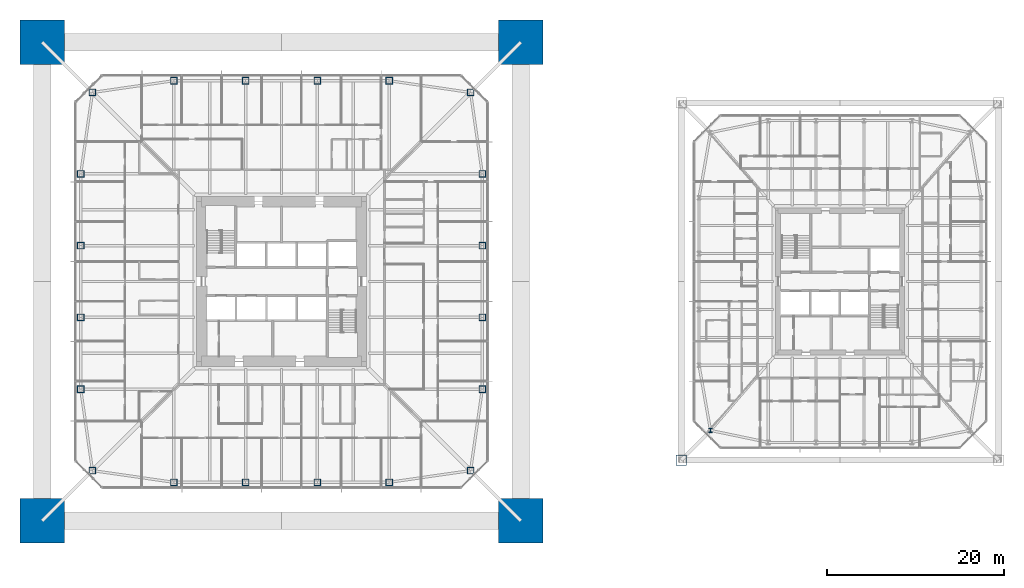
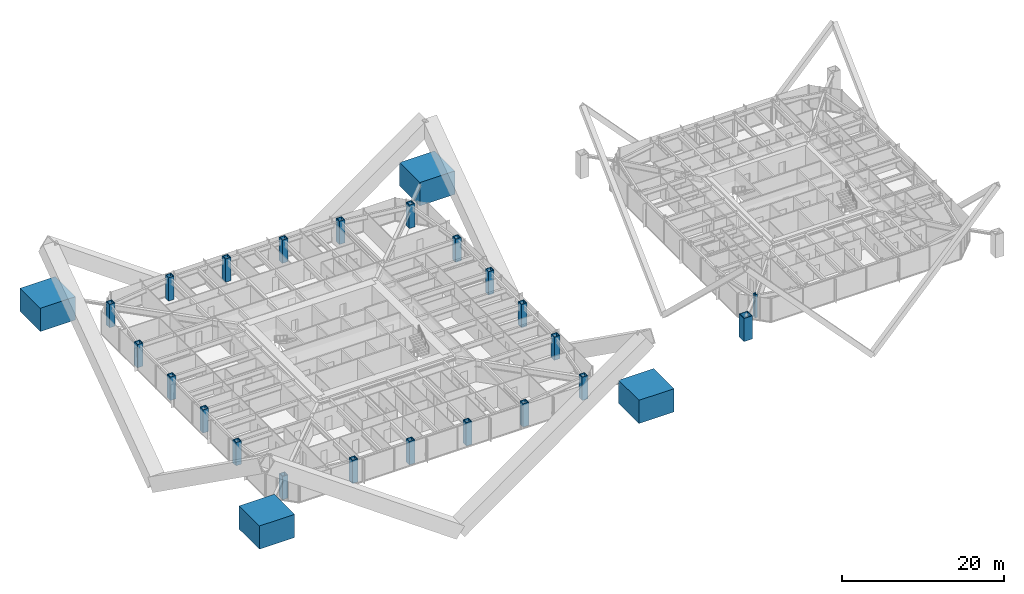
# One storey, part 1 of 28: 26 columns.
"""IFC4 building model written with IfcOpenShell, lengths in metres."""

from ifc_helpers import new_model, si_unit, direction, frame, origin, origin_2d, place, context, subcontext, project, spatial, rectangle, hollow_rectangle, i_section, extrude, material, material_profile, profile_set, type_object, element, save


model = new_model("IFC4")

# Units and contexts
model_context = context("Model", 3, precision=1e-05, world=origin(), true_north=direction((0.0, 1.0)))
body_context = subcontext(model_context, "Body", "Model", "MODEL_VIEW")
ifc_project = project(units=[si_unit("LENGTHUNIT", "METRE"), si_unit("AREAUNIT", "SQUARE_METRE"), si_unit("VOLUMEUNIT", "CUBIC_METRE"), si_unit("PLANEANGLEUNIT", "RADIAN"), si_unit("MASSUNIT", "GRAM", prefix="KILO")], contexts=[model_context])

# Site, building, storey
site_placement = place(None, origin())
site = spatial("IfcSite", under=ifc_project, at=site_placement, CompositionType="ELEMENT")
building_placement = place(site_placement, origin())
building = spatial("IfcBuilding", under=site, at=building_placement, Name="Iwan Alto Co-Living Towers", CompositionType="ELEMENT")
storey_placement = place(building_placement, frame((0.0, 0.0, 64.0)))
storey = spatial("IfcBuildingStorey", under=building, at=storey_placement, Name="L17", CompositionType="ELEMENT", Elevation=64.0)

# Columns
ifc_material_1 = material(Name="Concrete f'c 70 MPa", Category="concrete")
ifc_material_profile_1 = material_profile(ifc_material_1, rectangle(XDim=5.0, YDim=5.0, at=origin_2d()), Name="RC 5000X5000")
ifc_profile_set_1 = profile_set([ifc_material_profile_1], Name="Concrete f'c 70 MPa")
column_type_1 = type_object("IfcColumnType", Name="T1 MEGA COLUMN RC 5000X5000", PredefinedType="COLUMN", material=ifc_profile_set_1)
for number, where, z_axis, x_axis, name in (
    (1, (-27.0, -27.0, 0.0), (0.0, 0.0, 1.0), (1.0, 0.0, 0.0), "T1 mega column SW L17"),
    (2, (27.0, -27.0, 0.0), (0.0, 0.0, 1.0), (1.0, 0.0, 0.0), "T1 mega column SE L17"),
    (3, (27.0, 27.0, 0.0), (0.0, 0.0, 1.0), (1.0, 0.0, 0.0), "T1 mega column NE L17"),
    (4, (-27.0, 27.0, 0.0), (0.0, 0.0, 1.0), (1.0, 0.0, 0.0), "T1 mega column NW L17"),
):
    element("IfcColumn", number, at=place(storey_placement, frame(where, z_axis=z_axis, x_axis=x_axis)), inside=storey, type_object=column_type_1, Name=name, PredefinedType="COLUMN", context=body_context, shape_type="SweptSolid", body=[
        extrude(rectangle(XDim=5.0, YDim=5.0, at=origin_2d()), origin(), (0.0, 0.0, 1.0), 3.5),
        extrude(i_section(OverallWidth=0.4775390625, OverallDepth=0.599365234375, WebThickness=0.10009765625, FlangeThickness=0.139892578125, at=origin_2d()), origin(), (0.0, 0.0, 1.0), 3.5),
    ])
ifc_material_2 = material(Name="Steel ASTM A572 Gr 50", Category="steel")
ifc_material_profile_2 = material_profile(ifc_material_2, hollow_rectangle(XDim=0.800048828125, YDim=0.800048828125, WallThickness=0.090087890625, at=origin_2d()), Name="BOX 800X800X90")
ifc_profile_set_2 = profile_set([ifc_material_profile_2], Name="Steel ASTM A572 Gr 50")
column_type_2 = type_object("IfcColumnType", Name="T1 RING COLUMN BOX 800X800X90", PredefinedType="COLUMN", material=ifc_profile_set_2)
for number, where, z_axis, x_axis, name in (
    (5, (-21.32568359375, -21.32568359375, 0.0), (0.0, 0.0, 1.0), (1.0, 0.0, 0.0), "T1 ring column CSW L17"),
    (6, (-12.14990234375, -22.64990234375, 0.0), (0.0, 0.0, 1.0), (1.0, 0.0, 0.0), "T1 ring column S1 L17"),
    (7, (-4.050048828125, -22.64990234375, 0.0), (0.0, 0.0, 1.0), (1.0, 0.0, 0.0), "T1 ring column S2 L17"),
    (8, (4.050048828125, -22.64990234375, 0.0), (0.0, 0.0, 1.0), (1.0, 0.0, 0.0), "T1 ring column S3 L17"),
    (9, (12.14990234375, -22.64990234375, 0.0), (0.0, 0.0, 1.0), (1.0, 0.0, 0.0), "T1 ring column S4 L17"),
    (10, (21.32568359375, -21.32568359375, 0.0), (0.0, 0.0, 1.0), (1.0, 0.0, 0.0), "T1 ring column CSE L17"),
    (11, (22.64990234375, -12.14990234375, 0.0), (0.0, 0.0, 1.0), (1.0, 0.0, 0.0), "T1 ring column E1 L17"),
    (12, (22.64990234375, -4.050048828125, 0.0), (0.0, 0.0, 1.0), (1.0, 0.0, 0.0), "T1 ring column E2 L17"),
    (13, (22.64990234375, 4.050048828125, 0.0), (0.0, 0.0, 1.0), (1.0, 0.0, 0.0), "T1 ring column E3 L17"),
    (14, (22.64990234375, 12.14990234375, 0.0), (0.0, 0.0, 1.0), (1.0, 0.0, 0.0), "T1 ring column E4 L17"),
    (15, (21.32568359375, 21.32568359375, 0.0), (0.0, 0.0, 1.0), (1.0, 0.0, 0.0), "T1 ring column CNE L17"),
    (16, (12.14990234375, 22.64990234375, 0.0), (0.0, 0.0, 1.0), (1.0, 0.0, 0.0), "T1 ring column N1 L17"),
    (17, (4.050048828125, 22.64990234375, 0.0), (0.0, 0.0, 1.0), (1.0, 0.0, 0.0), "T1 ring column N2 L17"),
    (18, (-4.050048828125, 22.64990234375, 0.0), (0.0, 0.0, 1.0), (1.0, 0.0, 0.0), "T1 ring column N3 L17"),
    (19, (-12.14990234375, 22.64990234375, 0.0), (0.0, 0.0, 1.0), (1.0, 0.0, 0.0), "T1 ring column N4 L17"),
    (20, (-21.32568359375, 21.32568359375, 0.0), (0.0, 0.0, 1.0), (1.0, 0.0, 0.0), "T1 ring column CNW L17"),
    (21, (-22.64990234375, 12.14990234375, 0.0), (0.0, 0.0, 1.0), (1.0, 0.0, 0.0), "T1 ring column W1 L17"),
    (22, (-22.64990234375, 4.050048828125, 0.0), (0.0, 0.0, 1.0), (1.0, 0.0, 0.0), "T1 ring column W2 L17"),
    (23, (-22.64990234375, -4.050048828125, 0.0), (0.0, 0.0, 1.0), (1.0, 0.0, 0.0), "T1 ring column W3 L17"),
    (24, (-22.64990234375, -12.14990234375, 0.0), (0.0, 0.0, 1.0), (1.0, 0.0, 0.0), "T1 ring column W4 L17"),
):
    element("IfcColumn", number, at=place(storey_placement, frame(where, z_axis=z_axis, x_axis=x_axis)), inside=storey, type_object=column_type_2, Name=name, PredefinedType="COLUMN", context=body_context, shape_type="SweptSolid", body=[
        extrude(hollow_rectangle(XDim=0.800048828125, YDim=0.800048828125, WallThickness=0.090087890625, at=origin_2d()), origin(), (0.0, 0.0, 1.0), 3.5),
    ])
ifc_material_3 = material(Name="Steel ASTM A572 Gr 50", Category="steel")
ifc_material_profile_3 = material_profile(ifc_material_3, hollow_rectangle(XDim=1.199951171875, YDim=1.199951171875, WallThickness=0.070068359375, at=origin_2d()), Name="BOX 1200X1200X70")
ifc_profile_set_3 = profile_set([ifc_material_profile_3], Name="Steel ASTM A572 Gr 50")
column_type_3 = type_object("IfcColumnType", Name="T2 MEGA COLUMN BOX 1200X1200X70", PredefinedType="COLUMN", material=ifc_profile_set_3)
column_1_placement = place(storey_placement, frame((45.10009765625, -20.14990234375, 0.0), z_axis=(0.0, 0.0, 1.0), x_axis=(1.0, 0.0, 0.0)))
element("IfcColumn", 25, at=column_1_placement, inside=storey, type_object=column_type_3, Name="T2 mega column SW L17", PredefinedType="COLUMN", context=body_context, shape_type="SweptSolid", body=[
    extrude(hollow_rectangle(XDim=1.199951171875, YDim=1.199951171875, WallThickness=0.070068359375, at=origin_2d()), origin(), (0.0, 0.0, 1.0), 3.5),
])
ifc_material_4 = material(Name="Steel ASTM A992 Gr 50", Category="steel")
ifc_material_profile_4 = material_profile(ifc_material_4, i_section(OverallWidth=0.424072265625, OverallDepth=0.47509765625, WebThickness=0.0478515625, FlangeThickness=0.0771484375, at=origin_2d()), Name="W14X426")
ifc_profile_set_4 = profile_set([ifc_material_profile_4], Name="Steel ASTM A992 Gr 50")
column_type_4 = type_object("IfcColumnType", Name="T2 RING COLUMN W14X426", PredefinedType="COLUMN", material=ifc_profile_set_4)
column_2_placement = place(storey_placement, frame((48.393798828125, -16.797119140625, 0.0), z_axis=(0.0, 0.0, 1.0), x_axis=(1.0, 0.0, 0.0)))
element("IfcColumn", 26, at=column_2_placement, inside=storey, type_object=column_type_4, Name="T2 ring column CSW L17", PredefinedType="COLUMN", context=body_context, shape_type="SweptSolid", body=[
    extrude(i_section(OverallWidth=0.424072265625, OverallDepth=0.47509765625, WebThickness=0.0478515625, FlangeThickness=0.0771484375, at=origin_2d()), origin(), (0.0, 0.0, 1.0), 3.5),
])

save(model, "model.ifc")
